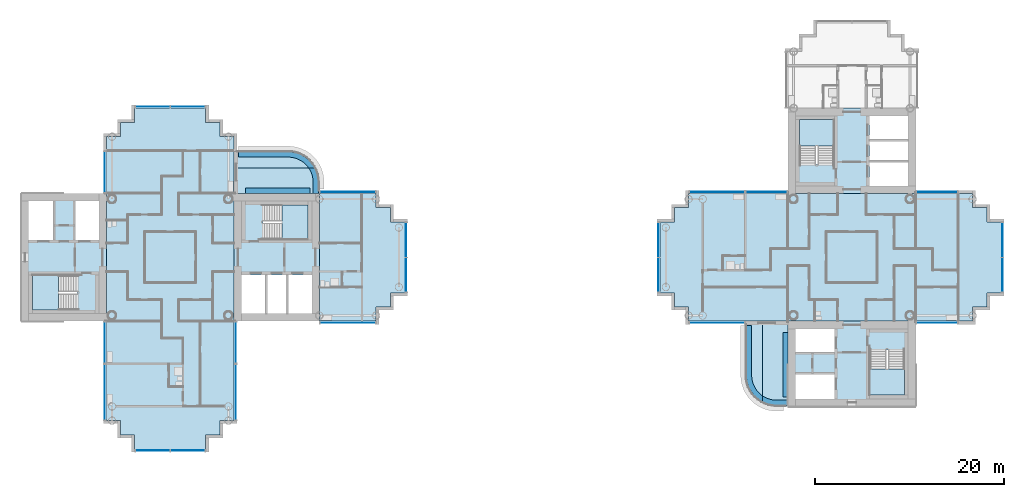
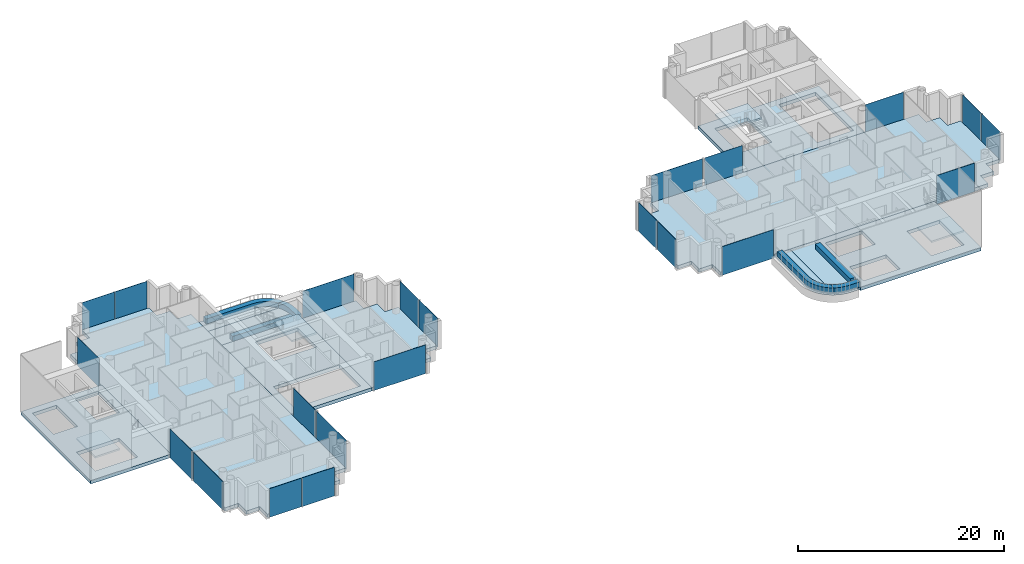
# One storey, part 5 of 19: 22 plates, 21 slabs, 21 elements without a shape of their own.
"""IFC4 building model written with IfcOpenShell, lengths in metres."""

from ifc_helpers import new_model, si_unit, direction, frame, origin, origin_2d, place, context, subcontext, project, spatial, polyline, rectangle, outline, extrude, material, layer, layer_set, type_object, element, aggregate, save


model = new_model("IFC4")

# Units and contexts
model_context = context("Model", 3, precision=1e-05, world=origin(), true_north=direction((0.0, 1.0)))
body_context = subcontext(model_context, "Body", "Model", "MODEL_VIEW")
ifc_project = project(units=[si_unit("LENGTHUNIT", "METRE"), si_unit("AREAUNIT", "SQUARE_METRE"), si_unit("VOLUMEUNIT", "CUBIC_METRE"), si_unit("PLANEANGLEUNIT", "RADIAN"), si_unit("MASSUNIT", "GRAM", prefix="KILO")], contexts=[model_context])

# Site, building, storey
site_placement = place(None, origin())
site = spatial("IfcSite", under=ifc_project, at=site_placement, CompositionType="ELEMENT")
building_placement = place(site_placement, origin())
building = spatial("IfcBuilding", under=site, at=building_placement, Name="Ipe Terrace Towers", CompositionType="ELEMENT")
storey_placement = place(building_placement, frame((0.0, 0.0, 174.5)))
storey = spatial("IfcBuildingStorey", under=building, at=storey_placement, Name="L48", CompositionType="ELEMENT", Elevation=174.5)

# Slabs
ifc_material_1 = material(Name="Concrete C30/37", Category="concrete")
ifc_layer_1 = layer(ifc_material_1, 0.199951171875)
ifc_layer_set_1 = layer_set([ifc_layer_1], Name="BALCONY SLAB 200")
slab_type_1 = type_object("IfcSlabType", Name="BALCONY SLAB 200", PredefinedType="FLOOR", material=ifc_layer_set_1)
slab_1_placement = place(storey_placement, frame((0.0, 0.0, -0.219970703125)))
element("IfcSlab", 1, at=slab_1_placement, inside=storey, type_object=slab_type_1, Name="balcony slab", PredefinedType="FLOOR", context=body_context, shape_type="SweptSolid", body=[
    extrude(outline(polyline([(-20.5009765625, 9.212890625), (-20.617919921875, 9.449951171875), (-29.25, 9.449951171875), (-29.25, 6.75), (-20.25, 6.75), (-20.25, 7.949951171875), (-20.278076171875, 8.381103515625), (-20.362060546875, 8.803955078125), (-20.5009765625, 9.212890625)])), origin(), (0.0, 0.0, 1.0), 0.199951171875),
])
slab_2_placement = place(storey_placement, frame((0.0, 0.0, -0.219970703125)))
element("IfcSlab", 2, at=slab_2_placement, inside=storey, type_object=slab_type_1, Name="balcony slab", PredefinedType="FLOOR", context=body_context, shape_type="SweptSolid", body=[
    extrude(outline(polyline([(-29.25, 11.25), (-29.25, 9.449951171875), (-20.617919921875, 9.449951171875), (-20.69189453125, 9.60009765625), (-20.931884765625, 9.958984375), (-21.217041015625, 10.282958984375), (-21.541015625, 10.568115234375), (-21.89990234375, 10.80810546875), (-22.287109375, 10.9990234375), (-22.696044921875, 11.137939453125), (-23.118896484375, 11.221923828125), (-23.550048828125, 11.25), (-29.25, 11.25)])), origin(), (0.0, 0.0, 1.0), 0.199951171875),
])
slab_3_placement = place(storey_placement, frame((0.0, 0.0, -0.219970703125)))
element("IfcSlab", 3, at=slab_3_placement, inside=storey, type_object=slab_type_1, Name="balcony slab", PredefinedType="FLOOR", context=body_context, shape_type="SweptSolid", body=[
    extrude(outline(polyline([(26.787109375, -15.4990234375), (27.196044921875, -15.637939453125), (27.618896484375, -15.721923828125), (28.050048828125, -15.75), (29.25, -15.75), (29.25, -6.75), (26.550048828125, -6.75), (26.550048828125, -15.382080078125), (26.787109375, -15.4990234375)])), origin(), (0.0, 0.0, 1.0), 0.199951171875),
])
slab_4_placement = place(storey_placement, frame((0.0, 0.0, -0.219970703125)))
element("IfcSlab", 4, at=slab_4_placement, inside=storey, type_object=slab_type_1, Name="balcony slab", PredefinedType="FLOOR", context=body_context, shape_type="SweptSolid", body=[
    extrude(outline(polyline([(24.75, -6.75), (24.75, -12.449951171875), (24.778076171875, -12.881103515625), (24.862060546875, -13.303955078125), (25.0009765625, -13.712890625), (25.19189453125, -14.10009765625), (25.431884765625, -14.458984375), (25.717041015625, -14.782958984375), (26.041015625, -15.068115234375), (26.39990234375, -15.30810546875), (26.550048828125, -15.382080078125), (26.550048828125, -6.75), (24.75, -6.75)])), origin(), (0.0, 0.0, 1.0), 0.199951171875),
])
ifc_material_2 = material(Name="Concrete C30/37", Category="concrete")
ifc_layer_2 = layer(ifc_material_2, 0.39990234375)
ifc_layer_set_2 = layer_set([ifc_layer_2], Name="CORE FLOOR SLAB 400 C30-37")
slab_type_2 = type_object("IfcSlabType", Name="CORE FLOOR SLAB 400 C30-37", PredefinedType="FLOOR", material=ifc_layer_set_2)
slab_5_placement = place(storey_placement, frame((0.0, 0.0, -0.39990234375)))
element("IfcSlab", 5, at=slab_5_placement, inside=storey, type_object=slab_type_2, Name="Core floor T1-C1", PredefinedType="FLOOR", context=body_context, shape_type="SweptSolid", body=[
    extrude(outline(polyline([(-29.25, -6.75), (-29.25, 6.75), (-20.25, 6.75), (-20.25, -6.75), (-29.25, -6.75)]), holes=[polyline([(-28.449951171875, -5.949951171875), (-21.050048828125, -5.949951171875), (-21.050048828125, -1.85009765625), (-28.449951171875, -1.85009765625), (-28.449951171875, -5.949951171875)]), polyline([(-26.199951171875, 5.550048828125), (-26.199951171875, 1.89990234375), (-21.449951171875, 1.89990234375), (-21.449951171875, 5.550048828125), (-26.199951171875, 5.550048828125)])]), origin(), (0.0, 0.0, 1.0), 0.39990234375),
])
slab_6_placement = place(storey_placement, frame((0.0, 0.0, -0.39990234375)))
element("IfcSlab", 6, at=slab_6_placement, inside=storey, type_object=slab_type_2, Name="Core floor T1-C2", PredefinedType="FLOOR", context=body_context, shape_type="SweptSolid", body=[
    extrude(outline(polyline([(-51.75, -6.75), (-51.75, 6.75), (-42.75, 6.75), (-42.75, -6.75), (-51.75, -6.75)]), holes=[polyline([(-45.800048828125, -1.89990234375), (-50.550048828125, -1.89990234375), (-50.550048828125, -5.550048828125), (-45.800048828125, -5.550048828125), (-45.800048828125, -1.89990234375)]), polyline([(-48.25, 1.85009765625), (-48.25, 5.949951171875), (-50.949951171875, 5.949951171875), (-50.949951171875, 1.85009765625), (-48.25, 1.85009765625)]), polyline([(-43.550048828125, 1.85009765625), (-43.550048828125, 5.949951171875), (-46.14990234375, 5.949951171875), (-46.14990234375, 1.85009765625), (-43.550048828125, 1.85009765625)])]), origin(), (0.0, 0.0, 1.0), 0.39990234375),
])
slab_7_placement = place(storey_placement, frame((0.0, 0.0, -0.39990234375)))
element("IfcSlab", 7, at=slab_7_placement, inside=storey, type_object=slab_type_2, Name="Core floor T2-C1", PredefinedType="FLOOR", context=body_context, shape_type="SweptSolid", body=[
    extrude(outline(polyline([(29.25, 6.75), (29.25, 15.75), (42.75, 15.75), (42.75, 6.75), (29.25, 6.75)]), holes=[polyline([(41.949951171875, 7.550048828125), (41.949951171875, 14.949951171875), (37.85009765625, 14.949951171875), (37.85009765625, 7.550048828125), (41.949951171875, 7.550048828125)]), polyline([(30.449951171875, 9.800048828125), (34.10009765625, 9.800048828125), (34.10009765625, 14.550048828125), (30.449951171875, 14.550048828125), (30.449951171875, 9.800048828125)])]), origin(), (0.0, 0.0, 1.0), 0.39990234375),
])
slab_8_placement = place(storey_placement, frame((0.0, 0.0, -0.39990234375)))
element("IfcSlab", 8, at=slab_8_placement, inside=storey, type_object=slab_type_2, Name="Core floor T2-C2", PredefinedType="FLOOR", context=body_context, shape_type="SweptSolid", body=[
    extrude(outline(polyline([(29.25, -15.75), (29.25, -6.75), (42.75, -6.75), (42.75, -15.75), (29.25, -15.75)]), holes=[polyline([(30.050048828125, -12.25), (30.050048828125, -14.949951171875), (34.14990234375, -14.949951171875), (34.14990234375, -12.25), (30.050048828125, -12.25)]), polyline([(41.550048828125, -9.800048828125), (37.89990234375, -9.800048828125), (37.89990234375, -14.550048828125), (41.550048828125, -14.550048828125), (41.550048828125, -9.800048828125)]), polyline([(34.14990234375, -7.550048828125), (30.050048828125, -7.550048828125), (30.050048828125, -10.14990234375), (34.14990234375, -10.14990234375), (34.14990234375, -7.550048828125)])]), origin(), (0.0, 0.0, 1.0), 0.39990234375),
])

# Stair, slab
ifc_material_3 = material(Name="Concrete C30/37", Category="concrete")
stair_type = type_object("IfcStairType", Name="Protected exit stair", PredefinedType="HALF_TURN_STAIR", material=ifc_material_3)
stair_1_placement = place(storey_placement, origin())
stair_1 = element("IfcStair", 9, at=stair_1_placement, inside=storey, type_object=stair_type, Name="L48 Exit stair T1-C1", PredefinedType="HALF_TURN_STAIR")
ifc_material_4 = material(Name="Concrete C30/37", Category="concrete")
ifc_layer_3 = layer(ifc_material_4, 0.199951171875)
ifc_layer_set_3 = layer_set([ifc_layer_3], Name="Exit stair landing 200")
slab_type_3 = type_object("IfcSlabType", Name="Exit stair landing 200", PredefinedType="LANDING", material=ifc_layer_set_3)
slab_9_placement = place(storey_placement, frame((0.0, 0.0, 1.5)))
slab_9 = element("IfcSlab", 10, at=slab_9_placement, type_object=slab_type_3, Name="T1-ST1 landing 1", PredefinedType="LANDING", context=body_context, shape_type="SweptSolid", body=[
    extrude(outline(polyline([(-24.219970703125, 1.89990234375), (-21.449951171875, 1.89990234375), (-21.449951171875, 5.550048828125), (-24.219970703125, 5.550048828125), (-24.219970703125, 1.89990234375)])), origin(), (0.0, 0.0, 1.0), 0.199951171875),
])
aggregate(stair_1, [slab_9])

stair_2_placement = place(storey_placement, origin())
stair_2 = element("IfcStair", 11, at=stair_2_placement, inside=storey, type_object=stair_type, Name="L48 Exit stair T1-C2", PredefinedType="HALF_TURN_STAIR")
slab_10_placement = place(storey_placement, frame((0.0, 0.0, 1.5)))
slab_10 = element("IfcSlab", 12, at=slab_10_placement, type_object=slab_type_3, Name="T1-ST2 landing 1", PredefinedType="LANDING", context=body_context, shape_type="SweptSolid", body=[
    extrude(outline(polyline([(-47.780029296875, -1.89990234375), (-50.550048828125, -1.89990234375), (-50.550048828125, -5.550048828125), (-47.780029296875, -5.550048828125), (-47.780029296875, -1.89990234375)])), origin(), (0.0, 0.0, 1.0), 0.199951171875),
])
aggregate(stair_2, [slab_10])

stair_3_placement = place(storey_placement, origin())
stair_3 = element("IfcStair", 13, at=stair_3_placement, inside=storey, type_object=stair_type, Name="L48 Exit stair T2-C1", PredefinedType="HALF_TURN_STAIR")
slab_11_placement = place(storey_placement, frame((0.0, 0.0, 1.5)))
slab_11 = element("IfcSlab", 14, at=slab_11_placement, type_object=slab_type_3, Name="T2-ST1 landing 1", PredefinedType="LANDING", context=body_context, shape_type="SweptSolid", body=[
    extrude(outline(polyline([(34.10009765625, 11.780029296875), (34.10009765625, 14.550048828125), (30.449951171875, 14.550048828125), (30.449951171875, 11.780029296875), (34.10009765625, 11.780029296875)])), origin(), (0.0, 0.0, 1.0), 0.199951171875),
])
aggregate(stair_3, [slab_11])

stair_4_placement = place(storey_placement, origin())
stair_4 = element("IfcStair", 15, at=stair_4_placement, inside=storey, type_object=stair_type, Name="L48 Exit stair T2-C2", PredefinedType="HALF_TURN_STAIR")
slab_12_placement = place(storey_placement, frame((0.0, 0.0, 1.5)))
slab_12 = element("IfcSlab", 16, at=slab_12_placement, type_object=slab_type_3, Name="T2-ST2 landing 1", PredefinedType="LANDING", context=body_context, shape_type="SweptSolid", body=[
    extrude(outline(polyline([(37.89990234375, -11.780029296875), (37.89990234375, -14.550048828125), (41.550048828125, -14.550048828125), (41.550048828125, -11.780029296875), (37.89990234375, -11.780029296875)])), origin(), (0.0, 0.0, 1.0), 0.199951171875),
])
aggregate(stair_4, [slab_12])

# Slabs
ifc_material_5 = material(Name="Concrete C40/50", Category="concrete")
ifc_layer_4 = layer(ifc_material_5, 0.39990234375)
ifc_layer_set_4 = layer_set([ifc_layer_4], Name="FLAT PLATE SLAB 400 C40-50")
slab_type_4 = type_object("IfcSlabType", Name="FLAT PLATE SLAB 400 C40-50", PredefinedType="FLOOR", material=ifc_layer_set_4)
slab_13_placement = place(storey_placement, frame((0.0, 0.0, -0.39990234375)))
element("IfcSlab", 17, at=slab_13_placement, inside=storey, type_object=slab_type_4, Name="Slab T1-FS-Z31", PredefinedType="FLOOR", context=body_context, shape_type="SweptSolid", body=[
    extrude(outline(polyline([(-30.75, -17.25), (-30.75, -18.75), (-32.25, -18.75), (-32.25, -20.25), (-39.75, -20.25), (-39.75, -18.75), (-41.25, -18.75), (-41.25, -17.25), (-42.75, -17.25), (-42.75, -6.75), (-42.75, 6.75), (-42.75, 12.75), (-41.25, 12.75), (-41.25, 14.25), (-39.75, 14.25), (-39.75, 15.75), (-32.25, 15.75), (-32.25, 14.25), (-30.75, 14.25), (-30.75, 12.75), (-29.25, 12.75), (-29.25, 6.75), (-29.25, -6.75), (-29.25, -17.25), (-30.75, -17.25)])), origin(), (0.0, 0.0, 1.0), 0.39990234375),
])
slab_14_placement = place(storey_placement, frame((0.0, 0.0, -0.39990234375)))
element("IfcSlab", 18, at=slab_14_placement, inside=storey, type_object=slab_type_4, Name="Slab T1-FS-Z32", PredefinedType="FLOOR", context=body_context, shape_type="SweptSolid", body=[
    extrude(outline(polyline([(-14.25, 5.25), (-12.75, 5.25), (-12.75, 3.75), (-11.25, 3.75), (-11.25, -3.75), (-12.75, -3.75), (-12.75, -5.25), (-14.25, -5.25), (-14.25, -6.75), (-20.25, -6.75), (-20.25, 6.75), (-14.25, 6.75), (-14.25, 5.25)])), origin(), (0.0, 0.0, 1.0), 0.39990234375),
])
slab_15_placement = place(storey_placement, frame((0.0, 0.0, -0.39990234375)))
element("IfcSlab", 19, at=slab_15_placement, inside=storey, type_object=slab_type_4, Name="Slab T2-FS-Z31", PredefinedType="FLOOR", context=body_context, shape_type="SweptSolid", body=[
    extrude(outline(polyline([(48.75, 5.25), (50.25, 5.25), (50.25, 3.75), (51.75, 3.75), (51.75, -3.75), (50.25, -3.75), (50.25, -5.25), (48.75, -5.25), (48.75, -6.75), (42.75, -6.75), (29.25, -6.75), (18.75, -6.75), (18.75, -5.25), (17.25, -5.25), (17.25, -3.75), (15.75, -3.75), (15.75, 3.75), (17.25, 3.75), (17.25, 5.25), (18.75, 5.25), (18.75, 6.75), (29.25, 6.75), (42.75, 6.75), (48.75, 6.75), (48.75, 5.25)])), origin(), (0.0, 0.0, 1.0), 0.39990234375),
])
ifc_material_6 = material(Name="Concrete C30/37", Category="concrete")
ifc_layer_5 = layer(ifc_material_6, 0.60009765625)
ifc_layer_set_5 = layer_set([ifc_layer_5], Name="PLANTER TROUGH 550 x 600")
slab_type_5 = type_object("IfcSlabType", Name="PLANTER TROUGH 550 x 600", PredefinedType="USERDEFINED", material=ifc_layer_set_5)
slab_16_placement = place(storey_placement, frame((0.0, 0.0, -0.02001953125)))
element("IfcSlab", 20, at=slab_16_placement, inside=storey, type_object=slab_type_5, Name="planter", ObjectType="PLANTER", PredefinedType="USERDEFINED", context=body_context, shape_type="SweptSolid", body=[
    extrude(outline(polyline([(-21.0009765625, 8.633056640625), (-20.93408203125, 8.2939453125), (-20.909912109375, 7.927978515625), (-20.909912109375, 6.75), (-20.360107421875, 6.75), (-20.360107421875, 7.93701171875), (-20.361083984375, 7.955078125), (-20.385986328125, 8.347900390625), (-20.39111328125, 8.384033203125), (-20.465087890625, 8.758056640625), (-20.47509765625, 8.79296875), (-20.596923828125, 9.154052734375), (-20.611083984375, 9.18701171875), (-20.740966796875, 9.449951171875), (-21.385986328125, 9.449951171875), (-21.264892578125, 9.26904296875), (-21.112060546875, 8.9599609375), (-21.0009765625, 8.633056640625)])), origin(), (0.0, 0.0, 1.0), 0.60009765625),
])
slab_17_placement = place(storey_placement, frame((0.0, 0.0, -0.02001953125)))
element("IfcSlab", 21, at=slab_17_placement, inside=storey, type_object=slab_type_5, Name="planter", ObjectType="PLANTER", PredefinedType="USERDEFINED", context=body_context, shape_type="SweptSolid", body=[
    extrude(outline(polyline([(-21.45703125, 9.555908203125), (-21.385986328125, 9.449951171875), (-20.740966796875, 9.449951171875), (-20.780029296875, 9.529052734375), (-20.798095703125, 9.56005859375), (-21.009033203125, 9.876953125), (-21.031005859375, 9.905029296875), (-21.282958984375, 10.19189453125), (-21.30810546875, 10.217041015625), (-21.594970703125, 10.468994140625), (-21.623046875, 10.490966796875), (-21.93994140625, 10.701904296875), (-21.970947265625, 10.719970703125), (-22.31298828125, 10.888916015625), (-22.345947265625, 10.903076171875), (-22.70703125, 11.02490234375), (-22.741943359375, 11.034912109375), (-23.115966796875, 11.10888671875), (-23.152099609375, 11.114013671875), (-23.544921875, 11.138916015625), (-23.56298828125, 11.139892578125), (-28.800048828125, 11.139892578125), (-28.800048828125, 10.590087890625), (-23.572021484375, 10.590087890625), (-23.2060546875, 10.56591796875), (-22.866943359375, 10.4990234375), (-22.5400390625, 10.387939453125), (-22.23095703125, 10.235107421875), (-21.944091796875, 10.04296875), (-21.68408203125, 9.81591796875), (-21.45703125, 9.555908203125)])), origin(), (0.0, 0.0, 1.0), 0.60009765625),
])
slab_18_placement = place(storey_placement, frame((0.0, 0.0, -0.02001953125)))
element("IfcSlab", 22, at=slab_18_placement, inside=storey, type_object=slab_type_5, Name="planter", ObjectType="PLANTER", PredefinedType="USERDEFINED", context=body_context, shape_type="SweptSolid", body=[
    extrude(outline(polyline([(-28.050048828125, 6.75), (-21.25, 6.75), (-21.25, 7.300048828125), (-28.050048828125, 7.300048828125), (-28.050048828125, 6.75)])), origin(), (0.0, 0.0, 1.0), 0.60009765625),
])
slab_19_placement = place(storey_placement, frame((0.0, 0.0, -0.02001953125)))
element("IfcSlab", 23, at=slab_19_placement, inside=storey, type_object=slab_type_5, Name="planter", ObjectType="PLANTER", PredefinedType="USERDEFINED", context=body_context, shape_type="SweptSolid", body=[
    extrude(outline(polyline([(27.366943359375, -14.9990234375), (27.0400390625, -14.887939453125), (26.73095703125, -14.735107421875), (26.550048828125, -14.614013671875), (26.550048828125, -15.259033203125), (26.81298828125, -15.388916015625), (26.845947265625, -15.403076171875), (27.20703125, -15.52490234375), (27.241943359375, -15.534912109375), (27.615966796875, -15.60888671875), (27.652099609375, -15.614013671875), (28.044921875, -15.638916015625), (28.06298828125, -15.639892578125), (29.25, -15.639892578125), (29.25, -15.090087890625), (28.072021484375, -15.090087890625), (27.7060546875, -15.06591796875), (27.366943359375, -14.9990234375)])), origin(), (0.0, 0.0, 1.0), 0.60009765625),
])
slab_20_placement = place(storey_placement, frame((0.0, 0.0, -0.02001953125)))
element("IfcSlab", 24, at=slab_20_placement, inside=storey, type_object=slab_type_5, Name="planter", ObjectType="PLANTER", PredefinedType="USERDEFINED", context=body_context, shape_type="SweptSolid", body=[
    extrude(outline(polyline([(26.444091796875, -14.54296875), (26.18408203125, -14.31591796875), (25.95703125, -14.055908203125), (25.764892578125, -13.76904296875), (25.612060546875, -13.4599609375), (25.5009765625, -13.133056640625), (25.43408203125, -12.7939453125), (25.409912109375, -12.427978515625), (25.409912109375, -7.199951171875), (24.860107421875, -7.199951171875), (24.860107421875, -12.43701171875), (24.861083984375, -12.455078125), (24.885986328125, -12.847900390625), (24.89111328125, -12.884033203125), (24.965087890625, -13.258056640625), (24.97509765625, -13.29296875), (25.096923828125, -13.654052734375), (25.111083984375, -13.68701171875), (25.280029296875, -14.029052734375), (25.298095703125, -14.06005859375), (25.509033203125, -14.376953125), (25.531005859375, -14.405029296875), (25.782958984375, -14.69189453125), (25.80810546875, -14.717041015625), (26.094970703125, -14.968994140625), (26.123046875, -14.990966796875), (26.43994140625, -15.201904296875), (26.470947265625, -15.219970703125), (26.550048828125, -15.259033203125), (26.550048828125, -14.614013671875), (26.444091796875, -14.54296875)])), origin(), (0.0, 0.0, 1.0), 0.60009765625),
])
slab_21_placement = place(storey_placement, frame((0.0, 0.0, -0.02001953125)))
element("IfcSlab", 25, at=slab_21_placement, inside=storey, type_object=slab_type_5, Name="planter", ObjectType="PLANTER", PredefinedType="USERDEFINED", context=body_context, shape_type="SweptSolid", body=[
    extrude(outline(polyline([(29.25, -7.949951171875), (28.699951171875, -7.949951171875), (28.699951171875, -14.75), (29.25, -14.75), (29.25, -7.949951171875)])), origin(), (0.0, 0.0, 1.0), 0.60009765625),
])

# Curtain wall, plate
ifc_material_7 = material(Name="Aluminium alloy 6063-T6", Category="aluminium")
ifc_layer_6 = layer(ifc_material_7, 0.320068359375)
ifc_layer_set_6 = layer_set([ifc_layer_6], Name="TOWER UNITISED CURTAIN WALL")
curtain_wall_type = type_object("IfcCurtainWallType", Name="TOWER UNITISED CURTAIN WALL", PredefinedType="NOTDEFINED", material=ifc_layer_set_6)
curtain_wall_1_placement = place(storey_placement, origin())
curtain_wall_1 = element("IfcCurtainWall", 26, at=curtain_wall_1_placement, inside=storey, type_object=curtain_wall_type, Name="T1-CW-L48-02a curtain wall", PredefinedType="NOTDEFINED")
ifc_material_8 = material(Name="Glass, clear laminated", Category="glass")
ifc_layer_7 = layer(ifc_material_8, 0.031982421875)
ifc_layer_set_7 = layer_set([ifc_layer_7], Name="TOWER UNITISED GLASS PANEL 32")
plate_type = type_object("IfcPlateType", Name="TOWER UNITISED GLASS PANEL 32", PredefinedType="CURTAIN_PANEL", material=ifc_layer_set_7)
plate_1_placement = place(storey_placement, frame((-42.909912109375, -9.0, -0.300048828125), z_axis=(0.0, 0.0, 1.0), x_axis=(0.0, -1.0, 0.0)))
plate_1 = element("IfcPlate", 27, at=plate_1_placement, type_object=plate_type, Name="T1-CW-L48-02a panel 1", PredefinedType="CURTAIN_PANEL", context=body_context, shape_type="SweptSolid", body=[
    extrude(rectangle(XDim=4.260009765625, YDim=0.031982421875, at=origin_2d()), origin(), (0.0, 0.0, 1.0), 3.39990234375),
])
aggregate(curtain_wall_1, [plate_1])

curtain_wall_2_placement = place(storey_placement, origin())
curtain_wall_2 = element("IfcCurtainWall", 28, at=curtain_wall_2_placement, inside=storey, type_object=curtain_wall_type, Name="T1-CW-L48-03a curtain wall", PredefinedType="NOTDEFINED")
plate_2_placement = place(storey_placement, frame((-42.909912109375, -14.25, -0.300048828125), z_axis=(0.0, 0.0, 1.0), x_axis=(0.0, -1.0, 0.0)))
plate_2 = element("IfcPlate", 29, at=plate_2_placement, type_object=plate_type, Name="T1-CW-L48-03a panel 1", PredefinedType="CURTAIN_PANEL", context=body_context, shape_type="SweptSolid", body=[
    extrude(rectangle(XDim=5.760009765625, YDim=0.031982421875, at=origin_2d()), origin(), (0.0, 0.0, 1.0), 3.39990234375),
])
aggregate(curtain_wall_2, [plate_2])

# Curtain wall, plates
curtain_wall_3_placement = place(storey_placement, origin())
curtain_wall_3 = element("IfcCurtainWall", 30, at=curtain_wall_3_placement, inside=storey, type_object=curtain_wall_type, Name="T1-CW-L48-08a curtain wall", PredefinedType="NOTDEFINED")
plate_3_placement = place(storey_placement, frame((-37.831298828125, -20.409912109375, -0.300048828125), z_axis=(0.0, 0.0, 1.0), x_axis=(1.0, 0.0, 0.0)))
plate_3 = element("IfcPlate", 31, at=plate_3_placement, type_object=plate_type, Name="T1-CW-L48-08a panel 1", PredefinedType="CURTAIN_PANEL", context=body_context, shape_type="SweptSolid", body=[
    extrude(rectangle(XDim=3.597412109375, YDim=0.031982421875, at=origin_2d()), origin(), (0.0, 0.0, 1.0), 3.39990234375),
])
plate_4_placement = place(storey_placement, frame((-34.168701171875, -20.409912109375, -0.300048828125), z_axis=(0.0, 0.0, 1.0), x_axis=(1.0, 0.0, 0.0)))
plate_4 = element("IfcPlate", 32, at=plate_4_placement, type_object=plate_type, Name="T1-CW-L48-08a panel 2", PredefinedType="CURTAIN_PANEL", context=body_context, shape_type="SweptSolid", body=[
    extrude(rectangle(XDim=3.597412109375, YDim=0.031982421875, at=origin_2d()), origin(), (0.0, 0.0, 1.0), 3.39990234375),
])
aggregate(curtain_wall_3, [plate_3, plate_4])

# Curtain wall, plate
curtain_wall_4_placement = place(storey_placement, origin())
curtain_wall_4 = element("IfcCurtainWall", 33, at=curtain_wall_4_placement, inside=storey, type_object=curtain_wall_type, Name="T1-CW-L48-13a curtain wall", PredefinedType="NOTDEFINED")
plate_5_placement = place(storey_placement, frame((-29.090087890625, -14.25, -0.300048828125), z_axis=(0.0, 0.0, 1.0), x_axis=(0.0, 1.0, 0.0)))
plate_5 = element("IfcPlate", 34, at=plate_5_placement, type_object=plate_type, Name="T1-CW-L48-13a panel 1", PredefinedType="CURTAIN_PANEL", context=body_context, shape_type="SweptSolid", body=[
    extrude(rectangle(XDim=5.760009765625, YDim=0.031982421875, at=origin_2d()), origin(), (0.0, 0.0, 1.0), 3.39990234375),
])
aggregate(curtain_wall_4, [plate_5])

curtain_wall_5_placement = place(storey_placement, origin())
curtain_wall_5 = element("IfcCurtainWall", 35, at=curtain_wall_5_placement, inside=storey, type_object=curtain_wall_type, Name="T1-CW-L48-14a curtain wall", PredefinedType="NOTDEFINED")
plate_6_placement = place(storey_placement, frame((-29.090087890625, -9.0, -0.300048828125), z_axis=(0.0, 0.0, 1.0), x_axis=(0.0, 1.0, 0.0)))
plate_6 = element("IfcPlate", 36, at=plate_6_placement, type_object=plate_type, Name="T1-CW-L48-14a panel 1", PredefinedType="CURTAIN_PANEL", context=body_context, shape_type="SweptSolid", body=[
    extrude(rectangle(XDim=4.260009765625, YDim=0.031982421875, at=origin_2d()), origin(), (0.0, 0.0, 1.0), 3.39990234375),
])
aggregate(curtain_wall_5, [plate_6])

curtain_wall_6_placement = place(storey_placement, origin())
curtain_wall_6 = element("IfcCurtainWall", 37, at=curtain_wall_6_placement, inside=storey, type_object=curtain_wall_type, Name="T1-CW-L48-16b curtain wall", PredefinedType="NOTDEFINED")
plate_7_placement = place(storey_placement, frame((-17.24951171875, -6.909912109375, -0.300048828125), z_axis=(0.0, 0.0, 1.0), x_axis=(1.0, 0.0, 0.0)))
plate_7 = element("IfcPlate", 38, at=plate_7_placement, type_object=plate_type, Name="T1-CW-L48-16b panel 1", PredefinedType="CURTAIN_PANEL", context=body_context, shape_type="SweptSolid", body=[
    extrude(rectangle(XDim=5.759033203125, YDim=0.031982421875, at=origin_2d()), origin(), (0.0, 0.0, 1.0), 3.39990234375),
])
aggregate(curtain_wall_6, [plate_7])

# Curtain wall, plates
curtain_wall_7_placement = place(storey_placement, origin())
curtain_wall_7 = element("IfcCurtainWall", 39, at=curtain_wall_7_placement, inside=storey, type_object=curtain_wall_type, Name="T1-CW-L48-21a curtain wall", PredefinedType="NOTDEFINED")
plate_8_placement = place(storey_placement, frame((-11.090087890625, -1.831298828125, -0.300048828125), z_axis=(0.0, 0.0, 1.0), x_axis=(0.0, 1.0, 0.0)))
plate_8 = element("IfcPlate", 40, at=plate_8_placement, type_object=plate_type, Name="T1-CW-L48-21a panel 1", PredefinedType="CURTAIN_PANEL", context=body_context, shape_type="SweptSolid", body=[
    extrude(rectangle(XDim=3.597412109375, YDim=0.031982421875, at=origin_2d()), origin(), (0.0, 0.0, 1.0), 3.39990234375),
])
plate_9_placement = place(storey_placement, frame((-11.090087890625, 1.831298828125, -0.300048828125), z_axis=(0.0, 0.0, 1.0), x_axis=(0.0, 1.0, 0.0)))
plate_9 = element("IfcPlate", 41, at=plate_9_placement, type_object=plate_type, Name="T1-CW-L48-21a panel 2", PredefinedType="CURTAIN_PANEL", context=body_context, shape_type="SweptSolid", body=[
    extrude(rectangle(XDim=3.597412109375, YDim=0.031982421875, at=origin_2d()), origin(), (0.0, 0.0, 1.0), 3.39990234375),
])
aggregate(curtain_wall_7, [plate_8, plate_9])

# Curtain wall, plate
curtain_wall_8_placement = place(storey_placement, origin())
curtain_wall_8 = element("IfcCurtainWall", 42, at=curtain_wall_8_placement, inside=storey, type_object=curtain_wall_type, Name="T1-CW-L48-26a curtain wall", PredefinedType="NOTDEFINED")
plate_10_placement = place(storey_placement, frame((-17.24951171875, 6.909912109375, -0.300048828125), z_axis=(0.0, 0.0, 1.0), x_axis=(-1.0, 0.0, 0.0)))
plate_10 = element("IfcPlate", 43, at=plate_10_placement, type_object=plate_type, Name="T1-CW-L48-26a panel 1", PredefinedType="CURTAIN_PANEL", context=body_context, shape_type="SweptSolid", body=[
    extrude(rectangle(XDim=5.759033203125, YDim=0.031982421875, at=origin_2d()), origin(), (0.0, 0.0, 1.0), 3.39990234375),
])
aggregate(curtain_wall_8, [plate_10])

# Curtain wall, plates
curtain_wall_9_placement = place(storey_placement, origin())
curtain_wall_9 = element("IfcCurtainWall", 44, at=curtain_wall_9_placement, inside=storey, type_object=curtain_wall_type, Name="T1-CW-L48-34a curtain wall", PredefinedType="NOTDEFINED")
plate_11_placement = place(storey_placement, frame((-34.168701171875, 15.909912109375, -0.300048828125), z_axis=(0.0, 0.0, 1.0), x_axis=(-1.0, 0.0, 0.0)))
plate_11 = element("IfcPlate", 45, at=plate_11_placement, type_object=plate_type, Name="T1-CW-L48-34a panel 1", PredefinedType="CURTAIN_PANEL", context=body_context, shape_type="SweptSolid", body=[
    extrude(rectangle(XDim=3.597412109375, YDim=0.031982421875, at=origin_2d()), origin(), (0.0, 0.0, 1.0), 3.39990234375),
])
plate_12_placement = place(storey_placement, frame((-37.831298828125, 15.909912109375, -0.300048828125), z_axis=(0.0, 0.0, 1.0), x_axis=(-1.0, 0.0, 0.0)))
plate_12 = element("IfcPlate", 46, at=plate_12_placement, type_object=plate_type, Name="T1-CW-L48-34a panel 2", PredefinedType="CURTAIN_PANEL", context=body_context, shape_type="SweptSolid", body=[
    extrude(rectangle(XDim=3.597412109375, YDim=0.031982421875, at=origin_2d()), origin(), (0.0, 0.0, 1.0), 3.39990234375),
])
aggregate(curtain_wall_9, [plate_11, plate_12])

# Curtain wall, plate
curtain_wall_10_placement = place(storey_placement, origin())
curtain_wall_10 = element("IfcCurtainWall", 47, at=curtain_wall_10_placement, inside=storey, type_object=curtain_wall_type, Name="T1-CW-L48-40a curtain wall", PredefinedType="NOTDEFINED")
plate_13_placement = place(storey_placement, frame((-42.909912109375, 9.0, -0.300048828125), z_axis=(0.0, 0.0, 1.0), x_axis=(0.0, -1.0, 0.0)))
plate_13 = element("IfcPlate", 48, at=plate_13_placement, type_object=plate_type, Name="T1-CW-L48-40a panel 1", PredefinedType="CURTAIN_PANEL", context=body_context, shape_type="SweptSolid", body=[
    extrude(rectangle(XDim=4.260009765625, YDim=0.031982421875, at=origin_2d()), origin(), (0.0, 0.0, 1.0), 3.39990234375),
])
aggregate(curtain_wall_10, [plate_13])

curtain_wall_11_placement = place(storey_placement, origin())
curtain_wall_11 = element("IfcCurtainWall", 49, at=curtain_wall_11_placement, inside=storey, type_object=curtain_wall_type, Name="T2-CW-L48-02a curtain wall", PredefinedType="NOTDEFINED")
plate_14_placement = place(storey_placement, frame((45.0, -6.909912109375, -0.300048828125), z_axis=(0.0, 0.0, 1.0), x_axis=(1.0, 0.0, 0.0)))
plate_14 = element("IfcPlate", 50, at=plate_14_placement, type_object=plate_type, Name="T2-CW-L48-02a panel 1", PredefinedType="CURTAIN_PANEL", context=body_context, shape_type="SweptSolid", body=[
    extrude(rectangle(XDim=4.260009765625, YDim=0.031982421875, at=origin_2d()), origin(), (0.0, 0.0, 1.0), 3.39990234375),
])
aggregate(curtain_wall_11, [plate_14])

# Curtain wall, plates
curtain_wall_12_placement = place(storey_placement, origin())
curtain_wall_12 = element("IfcCurtainWall", 51, at=curtain_wall_12_placement, inside=storey, type_object=curtain_wall_type, Name="T2-CW-L48-08a curtain wall", PredefinedType="NOTDEFINED")
plate_15_placement = place(storey_placement, frame((51.909912109375, -1.831298828125, -0.300048828125), z_axis=(0.0, 0.0, 1.0), x_axis=(0.0, 1.0, 0.0)))
plate_15 = element("IfcPlate", 52, at=plate_15_placement, type_object=plate_type, Name="T2-CW-L48-08a panel 1", PredefinedType="CURTAIN_PANEL", context=body_context, shape_type="SweptSolid", body=[
    extrude(rectangle(XDim=3.597412109375, YDim=0.031982421875, at=origin_2d()), origin(), (0.0, 0.0, 1.0), 3.39990234375),
])
plate_16_placement = place(storey_placement, frame((51.909912109375, 1.831298828125, -0.300048828125), z_axis=(0.0, 0.0, 1.0), x_axis=(0.0, 1.0, 0.0)))
plate_16 = element("IfcPlate", 53, at=plate_16_placement, type_object=plate_type, Name="T2-CW-L48-08a panel 2", PredefinedType="CURTAIN_PANEL", context=body_context, shape_type="SweptSolid", body=[
    extrude(rectangle(XDim=3.597412109375, YDim=0.031982421875, at=origin_2d()), origin(), (0.0, 0.0, 1.0), 3.39990234375),
])
aggregate(curtain_wall_12, [plate_15, plate_16])

# Curtain wall, plate
curtain_wall_13_placement = place(storey_placement, origin())
curtain_wall_13 = element("IfcCurtainWall", 54, at=curtain_wall_13_placement, inside=storey, type_object=curtain_wall_type, Name="T2-CW-L48-14a curtain wall", PredefinedType="NOTDEFINED")
plate_17_placement = place(storey_placement, frame((45.0, 6.909912109375, -0.300048828125), z_axis=(0.0, 0.0, 1.0), x_axis=(-1.0, 0.0, 0.0)))
plate_17 = element("IfcPlate", 55, at=plate_17_placement, type_object=plate_type, Name="T2-CW-L48-14a panel 1", PredefinedType="CURTAIN_PANEL", context=body_context, shape_type="SweptSolid", body=[
    extrude(rectangle(XDim=4.260009765625, YDim=0.031982421875, at=origin_2d()), origin(), (0.0, 0.0, 1.0), 3.39990234375),
])
aggregate(curtain_wall_13, [plate_17])

curtain_wall_14_placement = place(storey_placement, origin())
curtain_wall_14 = element("IfcCurtainWall", 56, at=curtain_wall_14_placement, inside=storey, type_object=curtain_wall_type, Name="T2-CW-L48-28a curtain wall", PredefinedType="NOTDEFINED")
plate_18_placement = place(storey_placement, frame((27.0, 6.909912109375, -0.300048828125), z_axis=(0.0, 0.0, 1.0), x_axis=(-1.0, 0.0, 0.0)))
plate_18 = element("IfcPlate", 57, at=plate_18_placement, type_object=plate_type, Name="T2-CW-L48-28a panel 1", PredefinedType="CURTAIN_PANEL", context=body_context, shape_type="SweptSolid", body=[
    extrude(rectangle(XDim=4.260009765625, YDim=0.031982421875, at=origin_2d()), origin(), (0.0, 0.0, 1.0), 3.39990234375),
])
aggregate(curtain_wall_14, [plate_18])

curtain_wall_15_placement = place(storey_placement, origin())
curtain_wall_15 = element("IfcCurtainWall", 58, at=curtain_wall_15_placement, inside=storey, type_object=curtain_wall_type, Name="T2-CW-L48-29a curtain wall", PredefinedType="NOTDEFINED")
plate_19_placement = place(storey_placement, frame((21.75, 6.909912109375, -0.300048828125), z_axis=(0.0, 0.0, 1.0), x_axis=(-1.0, 0.0, 0.0)))
plate_19 = element("IfcPlate", 59, at=plate_19_placement, type_object=plate_type, Name="T2-CW-L48-29a panel 1", PredefinedType="CURTAIN_PANEL", context=body_context, shape_type="SweptSolid", body=[
    extrude(rectangle(XDim=5.760009765625, YDim=0.031982421875, at=origin_2d()), origin(), (0.0, 0.0, 1.0), 3.39990234375),
])
aggregate(curtain_wall_15, [plate_19])

# Curtain wall, plates
curtain_wall_16_placement = place(storey_placement, origin())
curtain_wall_16 = element("IfcCurtainWall", 60, at=curtain_wall_16_placement, inside=storey, type_object=curtain_wall_type, Name="T2-CW-L48-34a curtain wall", PredefinedType="NOTDEFINED")
plate_20_placement = place(storey_placement, frame((15.590087890625, 1.831298828125, -0.300048828125), z_axis=(0.0, 0.0, 1.0), x_axis=(0.0, -1.0, 0.0)))
plate_20 = element("IfcPlate", 61, at=plate_20_placement, type_object=plate_type, Name="T2-CW-L48-34a panel 1", PredefinedType="CURTAIN_PANEL", context=body_context, shape_type="SweptSolid", body=[
    extrude(rectangle(XDim=3.597412109375, YDim=0.031982421875, at=origin_2d()), origin(), (0.0, 0.0, 1.0), 3.39990234375),
])
plate_21_placement = place(storey_placement, frame((15.590087890625, -1.831298828125, -0.300048828125), z_axis=(0.0, 0.0, 1.0), x_axis=(0.0, -1.0, 0.0)))
plate_21 = element("IfcPlate", 62, at=plate_21_placement, type_object=plate_type, Name="T2-CW-L48-34a panel 2", PredefinedType="CURTAIN_PANEL", context=body_context, shape_type="SweptSolid", body=[
    extrude(rectangle(XDim=3.597412109375, YDim=0.031982421875, at=origin_2d()), origin(), (0.0, 0.0, 1.0), 3.39990234375),
])
aggregate(curtain_wall_16, [plate_20, plate_21])

# Curtain wall, plate
curtain_wall_17_placement = place(storey_placement, origin())
curtain_wall_17 = element("IfcCurtainWall", 63, at=curtain_wall_17_placement, inside=storey, type_object=curtain_wall_type, Name="T2-CW-L48-39a curtain wall", PredefinedType="NOTDEFINED")
plate_22_placement = place(storey_placement, frame((21.75, -6.909912109375, -0.300048828125), z_axis=(0.0, 0.0, 1.0), x_axis=(1.0, 0.0, 0.0)))
plate_22 = element("IfcPlate", 64, at=plate_22_placement, type_object=plate_type, Name="T2-CW-L48-39a panel 1", PredefinedType="CURTAIN_PANEL", context=body_context, shape_type="SweptSolid", body=[
    extrude(rectangle(XDim=5.760009765625, YDim=0.031982421875, at=origin_2d()), origin(), (0.0, 0.0, 1.0), 3.39990234375),
])
aggregate(curtain_wall_17, [plate_22])

save(model, "model.ifc")
